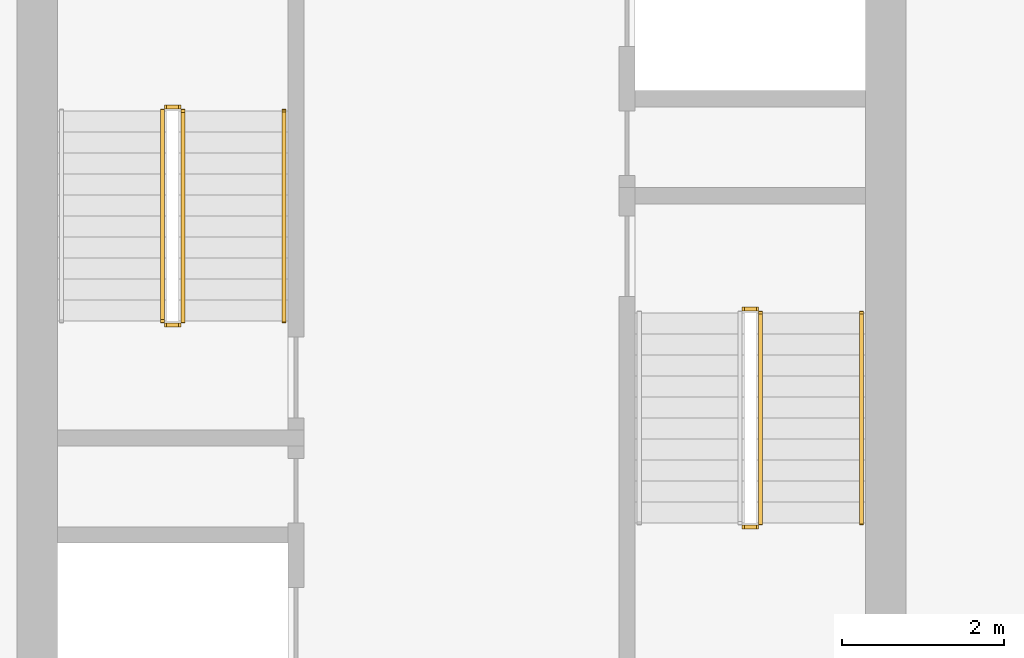
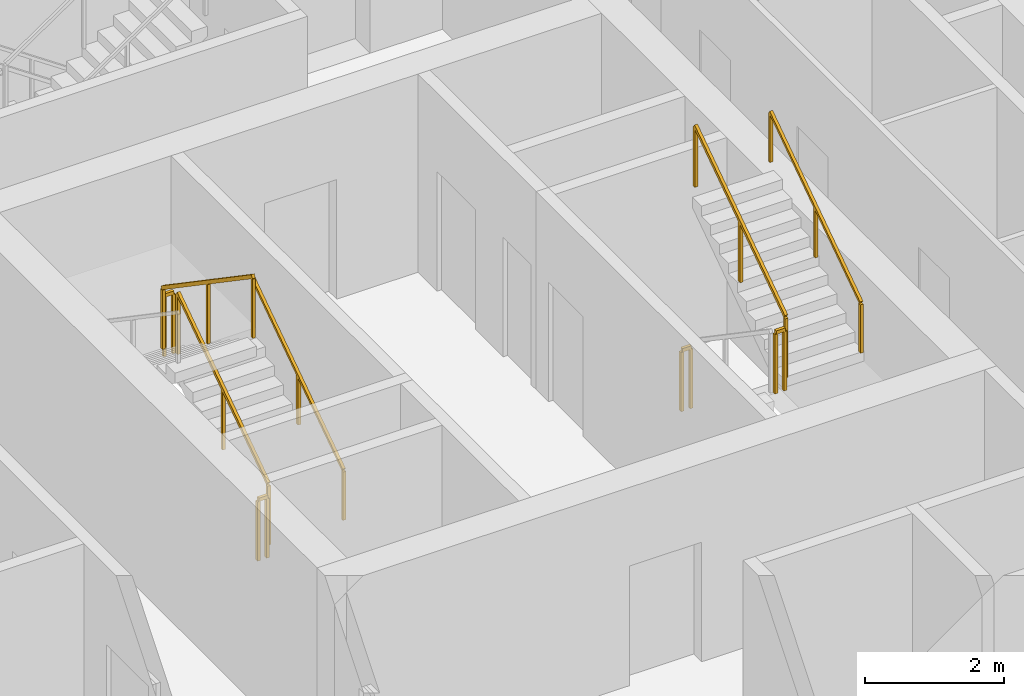
# One storey, part 11 of 14: 9 railings.
"""IFC4 building model written with IfcOpenShell, lengths in metres."""

import ifcopenshell
import ifcopenshell.guid

model = None  # the IFC model being written
_history = None  # IfcOwnerHistory: only IFC2X3 demands one
_inside = {}  # id of a spatial element -> (the spatial element, [elements in it])
_under = {}  # id of a project, library or spatial element -> (it, [spatial elements below it])
_declared = {}  # id of a project -> (the project, [libraries it declares])
_typed = {}  # id of a type object -> (the type object, [elements of that type])
_made_of = {}  # id of a material, layer set ... -> (it, [elements and type objects made of it])


def new_model(schema):
    """Start an empty IFC model of exactly this schema.

    Asked for "IFC4X3", IfcOpenShell would pick the latest addendum, in which some entities
    have other attributes; the version numbers below select the first issue.
    IFC2X3 requires an IfcOwnerHistory on every rooted entity: one is made here for all.
    """
    global model, _history
    if schema == "IFC4X3":
        model = ifcopenshell.file(schema_version=(4, 3, 0, 0))
    else:
        model = ifcopenshell.file(schema=schema)
    _inside.clear()
    _under.clear()
    _declared.clear()
    _typed.clear()
    _made_of.clear()
    _history = None
    if model.schema == "IFC2X3":
        org = make("IfcOrganization", Name="unknown")
        user = make(
            "IfcPersonAndOrganization",
            ThePerson=make("IfcPerson", FamilyName="unknown"),
            TheOrganization=org,
        )
        app = make(
            "IfcApplication",
            ApplicationDeveloper=org,
            Version="unknown",
            ApplicationFullName="unknown",
            ApplicationIdentifier="unknown",
        )
        _history = make(
            "IfcOwnerHistory",
            OwningUser=user,
            OwningApplication=app,
            ChangeAction="ADDED",
            CreationDate=0,
        )
    return model


def make(cls, **values):
    """One entity of the class cls with the attributes given. An attribute that is None is left unset."""
    return model.create_entity(
        cls, **{name: value for name, value in values.items() if value is not None}
    )


def rooted(cls, **values):
    """An entity with a GlobalId (a new one), such as an element, a storey or a relation."""
    return make(cls, GlobalId=ifcopenshell.guid.new(), OwnerHistory=_history, **values)


def si_unit(unit_type, name, prefix=None):
    """IfcSIUnit, for example si_unit("LENGTHUNIT", "METRE", prefix="MILLI")."""
    return make("IfcSIUnit", UnitType=unit_type, Prefix=prefix, Name=name)


def assignment(units):
    """IfcUnitAssignment: the units of a project."""
    return None if units is None else make("IfcUnitAssignment", Units=units)


def point(xyz):
    """IfcCartesianPoint."""
    return None if xyz is None else make("IfcCartesianPoint", Coordinates=xyz)


def direction(xyz):
    """IfcDirection."""
    return None if xyz is None else make("IfcDirection", DirectionRatios=xyz)


def frame(location, z_axis=None, x_axis=None):
    """IfcAxis2Placement3D, a coordinate frame: its origin and axes. An axis left out is left unset."""
    return make(
        "IfcAxis2Placement3D",
        Location=point(location),
        Axis=direction(z_axis),
        RefDirection=direction(x_axis),
    )


def frame_2d(location, x_axis=None):
    """IfcAxis2Placement2D, a coordinate frame in the plane: its origin and x axis."""
    return make(
        "IfcAxis2Placement2D", Location=point(location), RefDirection=direction(x_axis)
    )


def origin():
    """The frame at (0, 0, 0) with its axes left unset."""
    return frame((0.0, 0.0, 0.0))


def origin_2d():
    """The frame at (0, 0) in the plane with its x axis left unset."""
    return frame_2d((0.0, 0.0))


def place(relative_to, where):
    """IfcLocalPlacement: puts the frame where relative to a parent placement (None: the world)."""
    return make(
        "IfcLocalPlacement", PlacementRelTo=relative_to, RelativePlacement=where
    )


def context(
    kind, dimensions, precision=None, world=None, true_north=None, identifier=None
):
    """IfcGeometricRepresentationContext, for example the 3D "Model" context."""
    return make(
        "IfcGeometricRepresentationContext",
        ContextIdentifier=identifier,
        ContextType=kind,
        CoordinateSpaceDimension=dimensions,
        Precision=precision,
        WorldCoordinateSystem=world,
        TrueNorth=true_north,
    )


def subcontext(parent, identifier, kind, view, scale=None):
    """IfcGeometricRepresentationSubContext, for example "Body" below "Model"."""
    return make(
        "IfcGeometricRepresentationSubContext",
        ContextIdentifier=identifier,
        ContextType=kind,
        ParentContext=parent,
        TargetScale=scale,
        TargetView=view,
    )


def project(units=None, contexts=None):
    """IfcProject with its units and contexts."""
    return rooted(
        "IfcProject",
        Name="project",
        RepresentationContexts=contexts,
        UnitsInContext=assignment(units),
    )


def spatial(cls, under=None, at=None, **own):
    """A site, building, storey or space (cls), placed at a placement, below another one or the project."""
    s = rooted(cls, ObjectPlacement=at, **own)
    if under is not None:
        _under.setdefault(under.id(), (under, []))[1].append(s)
    return s


def profile(cls, at=None, kind="AREA", **sizes):
    """A parametric profile (cls). Its sizes go by their IFC names, for example OverallWidth=200.0."""
    return make(cls, ProfileType=kind, Position=at, **sizes)


def rectangle(**sizes):
    """IfcRectangleProfileDef."""
    return profile("IfcRectangleProfileDef", **sizes)


def extrude(swept, where, along, depth):
    """IfcExtrudedAreaSolid: the profile swept, set in the frame where, extruded along a direction by depth."""
    return make(
        "IfcExtrudedAreaSolid",
        SweptArea=swept,
        Position=where,
        ExtrudedDirection=direction(along),
        Depth=depth,
    )


def shape(context_of_items, identifier, shape_type, items):
    """IfcShapeRepresentation: the items that make up one representation, for example the "Body"."""
    return make(
        "IfcShapeRepresentation",
        ContextOfItems=context_of_items,
        RepresentationIdentifier=identifier,
        RepresentationType=shape_type,
        Items=items,
    )


def material(Name=None, Category=None):
    """IfcMaterial."""
    return make("IfcMaterial", Name=Name, Category=Category)


def made_of(thing, what):
    """Note that an element or type object is made of a material, layer set ...; save() writes the relation."""
    if what is not None:
        _made_of.setdefault(what.id(), (what, []))[1].append(thing)
    return thing


def type_object(cls, material=None, **own):
    """A type object (cls), such as IfcWallType, which elements share."""
    return made_of(rooted(cls, **own), material)


def element(
    cls,
    number,
    at=None,
    inside=None,
    cuts=None,
    type_object=None,
    material=None,
    context=None,
    identifier="Body",
    shape_type=None,
    held_by="IfcProductDefinitionShape",
    body=None,
    shapes=None,
    **own,
):
    """One element of the class cls, such as IfcWall. Its Tag is "e" and its number.

    at: its placement. inside: the storey or other place that contains it. cuts: it is an
    opening in that element (IfcRelVoidsElement). A single representation is given by context,
    identifier, shape_type and body (its items); several are given by shapes. held_by: the class
    of the entity that holds the representations. save() writes the other relations.
    """
    e = rooted(cls, Tag="e%d" % number, ObjectPlacement=at, **own)
    if body is not None:
        shapes = [shape(context, identifier, shape_type, body)]
    if shapes is not None:
        e.Representation = make(held_by, Representations=shapes)
    if inside is not None:
        _inside.setdefault(inside.id(), (inside, []))[1].append(e)
    if cuts is not None:
        rooted(
            "IfcRelVoidsElement", RelatingBuildingElement=cuts, RelatedOpeningElement=e
        )
    if type_object is not None:
        _typed.setdefault(type_object.id(), (type_object, []))[1].append(e)
    return made_of(e, material)


def aggregate(whole, parts):
    """IfcRelAggregates: a whole, such as a stair, and the parts it consists of."""
    return rooted("IfcRelAggregates", RelatingObject=whole, RelatedObjects=parts)


def save(model, path):
    """Write the relations noted so far, then the file.

    IfcRelAggregates (storeys below a building ...), IfcRelContainedInSpatialStructure (elements
    in a storey), IfcRelDefinesByType, IfcRelAssociatesMaterial and IfcRelDeclares: one each for
    every whole, place, type object, material and project.
    """
    for whole, parts in _under.values():
        aggregate(whole, parts)
    for where, things in _inside.values():
        rooted(
            "IfcRelContainedInSpatialStructure",
            RelatedElements=things,
            RelatingStructure=where,
        )
    for kind, things in _typed.values():
        rooted("IfcRelDefinesByType", RelatedObjects=things, RelatingType=kind)
    for what, things in _made_of.values():
        rooted("IfcRelAssociatesMaterial", RelatedObjects=things, RelatingMaterial=what)
    for by, libraries in _declared.values():
        rooted("IfcRelDeclares", RelatingContext=by, RelatedDefinitions=libraries)
    model.write(path)


model = new_model("IFC4")

# Units and contexts
model_context = context("Model", 3, precision=1e-05, world=origin(), true_north=direction((0.0, 1.0)))
body_context = subcontext(model_context, "Body", "Model", "MODEL_VIEW")
ifc_project = project(units=[si_unit("LENGTHUNIT", "METRE"), si_unit("AREAUNIT", "SQUARE_METRE"), si_unit("VOLUMEUNIT", "CUBIC_METRE"), si_unit("PLANEANGLEUNIT", "RADIAN"), si_unit("MASSUNIT", "GRAM", prefix="KILO")], contexts=[model_context])

# Site, building, storey
site_placement = place(None, origin())
site = spatial("IfcSite", under=ifc_project, at=site_placement, CompositionType="ELEMENT")
building_placement = place(site_placement, origin())
building = spatial("IfcBuilding", under=site, at=building_placement, Name="Khepri Terraces", CompositionType="ELEMENT")
storey_placement = place(building_placement, frame((0.0, 0.0, 102.60009765625)))
storey = spatial("IfcBuildingStorey", under=building, at=storey_placement, Name="L24", CompositionType="ELEMENT", Elevation=102.60009765625)

# Railings
ifc_material = material(Name="Stainless steel 316", Category="steel")
railing_type_1 = type_object("IfcRailingType", Name="RL-CORE-GUARD", PredefinedType="GUARDRAIL", material=ifc_material)
railing_1_placement = place(storey_placement, frame((-3.449951171875, -0.050048828125, 0.17724609375)))
element("IfcRailing", 1, at=railing_1_placement, inside=storey, type_object=railing_type_1, Name="L24 ST-1 stair guard 1", PredefinedType="GUARDRAIL", context=body_context, shape_type="SweptSolid", body=[
    extrude(rectangle(XDim=0.050048828125, YDim=0.06005859375, at=origin_2d()), frame((0.0, 0.0, 1.070068359375), z_axis=(0.0, 0.826240473404, 0.563317565952), x_axis=(-1.0, 0.0, 0.0)), (0.0, 0.0, 1.0), 3.14697265625),
    extrude(rectangle(XDim=0.050048828125, YDim=0.050048828125, at=origin_2d()), origin(), (0.0, 0.0, 1.0), 1.0400390625),
    extrude(rectangle(XDim=0.050048828125, YDim=0.050048828125, at=origin_2d()), frame((0.0, 1.300048828125, 0.88623046875)), (0.0, 0.0, 1.0), 1.0400390625),
    extrude(rectangle(XDim=0.050048828125, YDim=0.050048828125, at=origin_2d()), frame((0.0, 2.60009765625, 1.772705078125)), (0.0, 0.0, 1.0), 1.0400390625),
])
railing_2_placement = place(storey_placement, frame((-3.5, 2.60009765625, 1.949951171875)))
element("IfcRailing", 2, at=railing_2_placement, inside=storey, type_object=railing_type_1, Name="L24 ST-1 stair guard 2", PredefinedType="GUARDRAIL", context=body_context, shape_type="SweptSolid", body=[
    extrude(rectangle(XDim=0.050048828125, YDim=0.06005859375, at=origin_2d()), frame((0.0, 0.0, 1.070068359375), z_axis=(-1.0, 0.0, 0.0), x_axis=(0.0, -1.0, 0.0)), (0.0, 0.0, 1.0), 0.14990234375),
    extrude(rectangle(XDim=0.050048828125, YDim=0.050048828125, at=origin_2d()), origin(), (0.0, 0.0, 1.0), 1.0400390625),
    extrude(rectangle(XDim=0.050048828125, YDim=0.050048828125, at=origin_2d()), frame((-0.14990234375, 0.0, 0.0)), (0.0, 0.0, 1.0), 1.0400390625),
])
railing_3_placement = place(storey_placement, frame((-3.699951171875, 2.550048828125, 2.127197265625)))
element("IfcRailing", 3, at=railing_3_placement, inside=storey, type_object=railing_type_1, Name="L24 ST-1 stair guard 3", PredefinedType="GUARDRAIL", context=body_context, shape_type="SweptSolid", body=[
    extrude(rectangle(XDim=0.050048828125, YDim=0.06005859375, at=origin_2d()), frame((0.0, 0.0, 1.070068359375), z_axis=(0.0, -0.826240473404, 0.563317565952), x_axis=(1.0, 0.0, 0.0)), (0.0, 0.0, 1.0), 3.14697265625),
    extrude(rectangle(XDim=0.050048828125, YDim=0.050048828125, at=origin_2d()), origin(), (0.0, 0.0, 1.0), 1.0400390625),
    extrude(rectangle(XDim=0.050048828125, YDim=0.050048828125, at=origin_2d()), frame((0.0, -1.300048828125, 0.88623046875)), (0.0, 0.0, 1.0), 1.0400390625),
    extrude(rectangle(XDim=0.050048828125, YDim=0.050048828125, at=origin_2d()), frame((0.0, -2.60009765625, 1.772705078125)), (0.0, 0.0, 1.0), 1.0400390625),
])
railing_4_placement = place(storey_placement, frame((-3.5, -0.10009765625, 0.0)))
element("IfcRailing", 4, at=railing_4_placement, inside=storey, type_object=railing_type_1, Name="L24 ST-1 stair guard 4", PredefinedType="GUARDRAIL", context=body_context, shape_type="SweptSolid", body=[
    extrude(rectangle(XDim=0.050048828125, YDim=0.06005859375, at=origin_2d()), frame((0.0, 0.0, 1.070068359375), z_axis=(-1.0, 0.0, 0.0), x_axis=(0.0, -1.0, 0.0)), (0.0, 0.0, 1.0), 0.14990234375),
    extrude(rectangle(XDim=0.050048828125, YDim=0.050048828125, at=origin_2d()), origin(), (0.0, 0.0, 1.0), 1.0400390625),
    extrude(rectangle(XDim=0.050048828125, YDim=0.050048828125, at=origin_2d()), frame((-0.14990234375, 0.0, 0.0)), (0.0, 0.0, 1.0), 1.0400390625),
])
railing_5_placement = place(storey_placement, frame((3.5, -2.60009765625, 1.949951171875)))
element("IfcRailing", 5, at=railing_5_placement, inside=storey, type_object=railing_type_1, Name="L24 ST-2 stair guard 2", PredefinedType="GUARDRAIL", context=body_context, shape_type="SweptSolid", body=[
    extrude(rectangle(XDim=0.050048828125, YDim=0.06005859375, at=origin_2d()), frame((0.0, 0.0, 1.070068359375), z_axis=(1.0, 0.0, 0.0), x_axis=(0.0, 1.0, 0.0)), (0.0, 0.0, 1.0), 0.14990234375),
    extrude(rectangle(XDim=0.050048828125, YDim=0.050048828125, at=origin_2d()), origin(), (0.0, 0.0, 1.0), 1.0400390625),
    extrude(rectangle(XDim=0.050048828125, YDim=0.050048828125, at=origin_2d()), frame((0.14990234375, 0.0, 0.0)), (0.0, 0.0, 1.0), 1.0400390625),
])
railing_6_placement = place(storey_placement, frame((3.699951171875, -2.550048828125, 2.127197265625)))
element("IfcRailing", 6, at=railing_6_placement, inside=storey, type_object=railing_type_1, Name="L24 ST-2 stair guard 3", PredefinedType="GUARDRAIL", context=body_context, shape_type="SweptSolid", body=[
    extrude(rectangle(XDim=0.050048828125, YDim=0.06005859375, at=origin_2d()), frame((0.0, 0.0, 1.070068359375), z_axis=(0.0, 0.826240473404, 0.563317565952), x_axis=(-1.0, 0.0, 0.0)), (0.0, 0.0, 1.0), 3.14697265625),
    extrude(rectangle(XDim=0.050048828125, YDim=0.050048828125, at=origin_2d()), origin(), (0.0, 0.0, 1.0), 1.0400390625),
    extrude(rectangle(XDim=0.050048828125, YDim=0.050048828125, at=origin_2d()), frame((0.0, 1.300048828125, 0.88623046875)), (0.0, 0.0, 1.0), 1.0400390625),
    extrude(rectangle(XDim=0.050048828125, YDim=0.050048828125, at=origin_2d()), frame((0.0, 2.60009765625, 1.772705078125)), (0.0, 0.0, 1.0), 1.0400390625),
])
railing_7_placement = place(storey_placement, frame((3.5, 0.10009765625, 0.0)))
element("IfcRailing", 7, at=railing_7_placement, inside=storey, type_object=railing_type_1, Name="L24 ST-2 stair guard 4", PredefinedType="GUARDRAIL", context=body_context, shape_type="SweptSolid", body=[
    extrude(rectangle(XDim=0.050048828125, YDim=0.06005859375, at=origin_2d()), frame((0.0, 0.0, 1.070068359375), z_axis=(1.0, 0.0, 0.0), x_axis=(0.0, 1.0, 0.0)), (0.0, 0.0, 1.0), 0.14990234375),
    extrude(rectangle(XDim=0.050048828125, YDim=0.050048828125, at=origin_2d()), origin(), (0.0, 0.0, 1.0), 1.0400390625),
    extrude(rectangle(XDim=0.050048828125, YDim=0.050048828125, at=origin_2d()), frame((0.14990234375, 0.0, 0.0)), (0.0, 0.0, 1.0), 1.0400390625),
])
railing_type_2 = type_object("IfcRailingType", Name="RL-CORE-HANDRAIL", PredefinedType="HANDRAIL", material=ifc_material)
for number, where, name in (
    (8, (-2.199951171875, -0.050048828125, 0.17724609375), "L24 ST-1 stair handrail 1"),
    (9, (4.949951171875, -2.550048828125, 2.127197265625), "L24 ST-2 stair handrail 2"),
):
    element("IfcRailing", number, at=place(storey_placement, frame(where)), inside=storey, type_object=railing_type_2, Name=name, PredefinedType="HANDRAIL", context=body_context, shape_type="SweptSolid", body=[
        extrude(rectangle(XDim=0.050048828125, YDim=0.050048828125, at=origin_2d()), frame((0.0, 0.0, 0.875), z_axis=(0.0, 0.826240473404, 0.563317565952), x_axis=(-1.0, 0.0, 0.0)), (0.0, 0.0, 1.0), 3.14697265625),
        extrude(rectangle(XDim=0.050048828125, YDim=0.050048828125, at=origin_2d()), origin(), (0.0, 0.0, 1.0), 0.849853515625),
        extrude(rectangle(XDim=0.050048828125, YDim=0.050048828125, at=origin_2d()), frame((0.0, 1.300048828125, 0.88623046875)), (0.0, 0.0, 1.0), 0.849853515625),
        extrude(rectangle(XDim=0.050048828125, YDim=0.050048828125, at=origin_2d()), frame((0.0, 2.60009765625, 1.772705078125)), (0.0, 0.0, 1.0), 0.849853515625),
    ])

save(model, "model.ifc")
